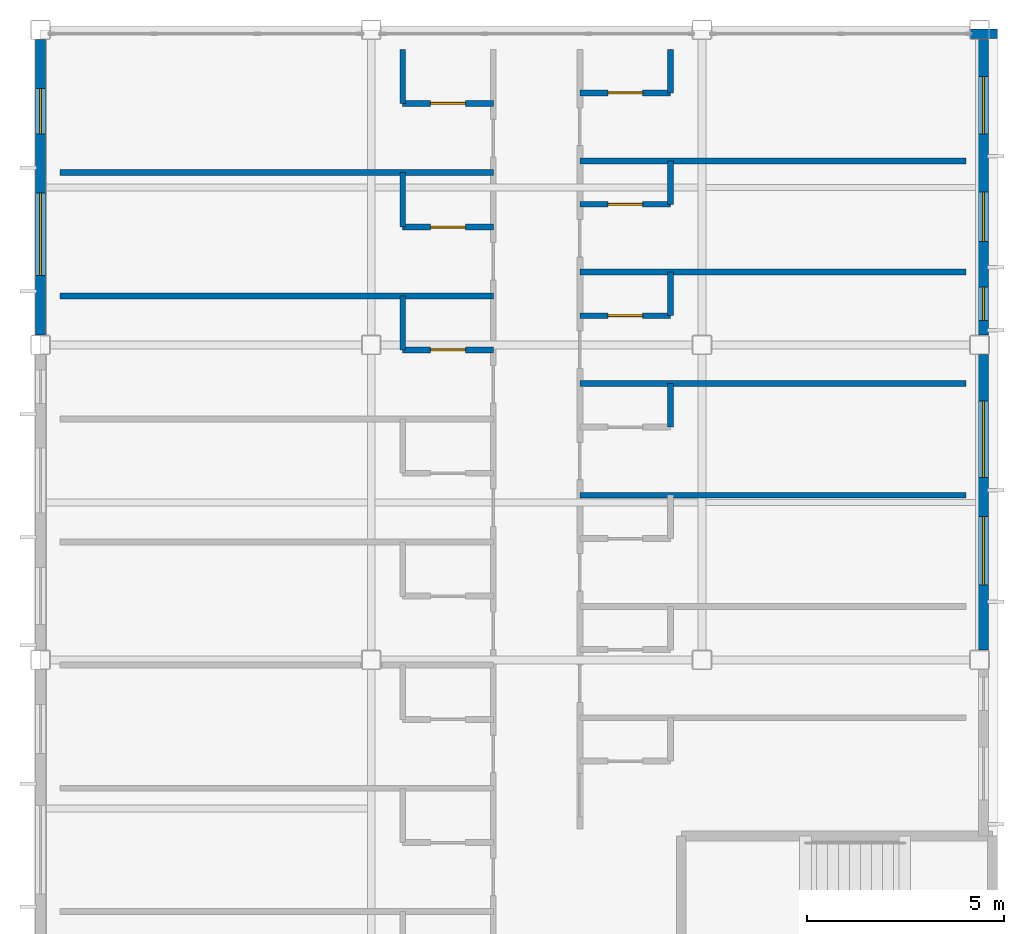
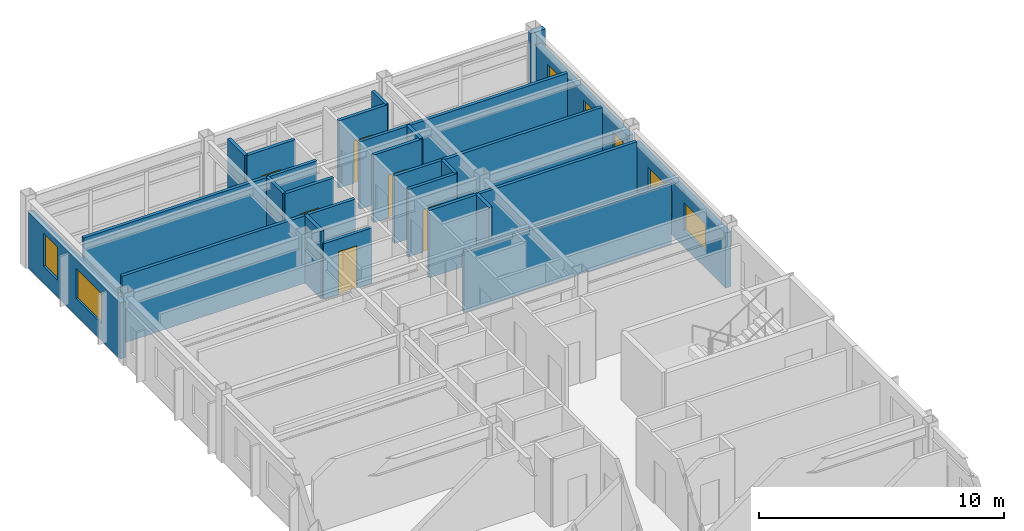
# One storey, part 31 of 35: 23 walls, 7 windows, 6 doors, 13 openings.
"""IFC4 building model written with IfcOpenShell, lengths in metres."""

from ifc_helpers import new_model, si_unit, direction, frame, frame_2d, origin, place, context, subcontext, project, spatial, rectangle, extrude, material, layer, layer_set, type_object, element, fill, save


model = new_model("IFC4")

# Units and contexts
model_context = context("Model", 3, precision=1e-05, world=origin(), true_north=direction((0.0, 1.0)))
body_context = subcontext(model_context, "Body", "Model", "MODEL_VIEW")
ifc_project = project(units=[si_unit("LENGTHUNIT", "METRE"), si_unit("AREAUNIT", "SQUARE_METRE"), si_unit("VOLUMEUNIT", "CUBIC_METRE"), si_unit("PLANEANGLEUNIT", "RADIAN"), si_unit("MASSUNIT", "GRAM", prefix="KILO")], contexts=[model_context])

# Site, building, storey
site_placement = place(None, origin())
site = spatial("IfcSite", under=ifc_project, at=site_placement, CompositionType="ELEMENT")
building_placement = place(site_placement, origin())
building = spatial("IfcBuilding", under=site, at=building_placement, Name="Kazehara Bluff Congress Hotel", CompositionType="ELEMENT")
storey_placement = place(building_placement, frame((0.0, 0.0, 35.39990234375)))
storey = spatial("IfcBuildingStorey", under=building, at=storey_placement, Name="L08", CompositionType="ELEMENT", Elevation=35.39990234375)

# Wall
ifc_material_1 = material(Name="Precast concrete C40/50", Category="concrete")
ifc_layer_1 = layer(ifc_material_1, 0.239990234375)
ifc_layer_set_1 = layer_set([ifc_layer_1], Name="Precast concrete C40/50")
wall_type_1 = type_object("IfcWallType", Name="TP-EW-240", PredefinedType="SOLIDWALL", material=ifc_layer_set_1)
wall_1_placement = place(storey_placement, frame((167.300048828125, 96.800048828125, 0.0), z_axis=(0.0, 0.0, 1.0), x_axis=(1.0, 0.0, 0.0)))
element("IfcWall", 1, at=wall_1_placement, inside=storey, type_object=wall_type_1, Name="L08 V5 perimeter spandrel pier 751", PredefinedType="SOLIDWALL", context=body_context, shape_type="SweptSolid", body=[
    extrude(rectangle(XDim=0.699951171875, YDim=0.239990234375, at=frame_2d((0.35009765625, 0.0))), origin(), (0.0, 0.0, 1.0), 3.364990234375),
])

# Wall, openings, windows
ifc_material_2 = material(Name="Precast concrete C40/50", Category="concrete")
ifc_layer_2 = layer(ifc_material_2, 0.260009765625)
ifc_layer_set_2 = layer_set([ifc_layer_2], Name="Precast concrete C40/50")
wall_type_2 = type_object("IfcWallType", Name="TP-EW-260", PredefinedType="SOLIDWALL", material=ifc_layer_set_2)
wall_2_placement = place(storey_placement, frame((167.64990234375, 88.64990234375, 0.0), z_axis=(0.0, 0.0, 1.0), x_axis=(0.0, -1.0, 0.0)))
wall_2 = element("IfcWall", 2, at=wall_2_placement, inside=storey, type_object=wall_type_2, Name="L08 hotel facade panel 118", PredefinedType="SOLIDWALL", context=body_context, shape_type="SweptSolid", body=[
    extrude(rectangle(XDim=7.5, YDim=0.260009765625, at=frame_2d((3.75, 0.0))), origin(), (0.0, 0.0, 1.0), 2.755126953125),
])
opening_1_placement = place(wall_2_placement, frame((4.10498046875, 0.0, 0.85009765625)))
opening_1 = element("IfcOpeningElement", 3, at=opening_1_placement, cuts=wall_2, Name="Opening WN-31", PredefinedType="OPENING", context=body_context, shape_type="SweptSolid", body=[
    extrude(rectangle(XDim=1.75, YDim=1.35009765625, at=frame_2d((0.875, 0.675048828125))), frame((0.0, 0.139892578125, 0.0), z_axis=(0.0, -1.0, 0.0), x_axis=(1.0, 0.0, 0.0)), (0.0, 0.0, 1.0), 0.280029296875),
])
opening_2_placement = place(wall_2_placement, frame((1.175048828125, 0.0, 0.85009765625)))
opening_2 = element("IfcOpeningElement", 4, at=opening_2_placement, cuts=wall_2, Name="Opening WN-41", PredefinedType="OPENING", context=body_context, shape_type="SweptSolid", body=[
    extrude(rectangle(XDim=1.949951171875, YDim=1.35009765625, at=frame_2d((0.97509765625, 0.675048828125))), frame((0.0, 0.139892578125, 0.0), z_axis=(0.0, -1.0, 0.0), x_axis=(1.0, 0.0, 0.0)), (0.0, 0.0, 1.0), 0.280029296875),
])
ifc_material_3 = material(Name="Insulated low-E double glazing", Category="glass")
window_type_1 = type_object("IfcWindowType", Name="TP-WN-31", PartitioningType="SINGLE_PANEL", PredefinedType="WINDOW", material=ifc_material_3)
window_1_placement = place(opening_1_placement, origin())
window_1 = element("IfcWindow", 5, at=window_1_placement, inside=storey, type_object=window_type_1, Name="L08 guestroom window WN-31 227", OverallHeight=1.35009765625, OverallWidth=1.75, PartitioningType="SINGLE_PANEL", PredefinedType="WINDOW", context=body_context, shape_type="SweptSolid", body=[
    extrude(rectangle(XDim=1.75, YDim=1.35009765625, at=frame_2d((0.875, 0.675048828125))), frame((0.0, 0.030029296875, 0.0), z_axis=(0.0, -1.0, 0.0), x_axis=(1.0, 0.0, 0.0)), (0.0, 0.0, 1.0), 0.06005859375),
])
fill(opening_1, window_1)
ifc_material_4 = material(Name="Insulated low-E double glazing", Category="glass")
window_type_2 = type_object("IfcWindowType", Name="TP-WN-41", PartitioningType="DOUBLE_PANEL_VERTICAL", PredefinedType="WINDOW", material=ifc_material_4)
window_2_placement = place(opening_2_placement, origin())
window_2 = element("IfcWindow", 6, at=window_2_placement, inside=storey, type_object=window_type_2, Name="L08 guestroom window WN-41 228", OverallHeight=1.35009765625, OverallWidth=1.949951171875, PartitioningType="SINGLE_PANEL", PredefinedType="WINDOW", context=body_context, shape_type="SweptSolid", body=[
    extrude(rectangle(XDim=1.949951171875, YDim=1.35009765625, at=frame_2d((0.97509765625, 0.675048828125))), frame((0.0, 0.030029296875, 0.0), z_axis=(0.0, -1.0, 0.0), x_axis=(1.0, 0.0, 0.0)), (0.0, 0.0, 1.0), 0.06005859375),
])
fill(opening_2, window_2)

wall_3_placement = place(storey_placement, frame((167.64990234375, 96.64990234375, 0.0), z_axis=(0.0, 0.0, 1.0), x_axis=(0.0, -1.0, 0.0)))
wall_3 = element("IfcWall", 7, at=wall_3_placement, inside=storey, type_object=wall_type_2, Name="L08 hotel facade panel 119", PredefinedType="SOLIDWALL", context=body_context, shape_type="SweptSolid", body=[
    extrude(rectangle(XDim=7.5, YDim=0.260009765625, at=frame_2d((3.75, 0.0))), origin(), (0.0, 0.0, 1.0), 2.755126953125),
])
opening_3_placement = place(wall_3_placement, frame((6.280029296875, 0.0, 0.85009765625)))
opening_3 = element("IfcOpeningElement", 8, at=opening_3_placement, cuts=wall_3, Name="Opening WN-55", PredefinedType="OPENING", context=body_context, shape_type="SweptSolid", body=[
    extrude(rectangle(XDim=0.85009765625, YDim=1.35009765625, at=frame_2d((0.425048828125, 0.675048828125))), frame((0.0, 0.139892578125, 0.0), z_axis=(0.0, -1.0, 0.0), x_axis=(1.0, 0.0, 0.0)), (0.0, 0.0, 1.0), 0.280029296875),
])
opening_4_placement = place(wall_3_placement, frame((3.8701171875, 0.0, 0.85009765625)))
opening_4 = element("IfcOpeningElement", 9, at=opening_4_placement, cuts=wall_3, Name="Opening WN-07", PredefinedType="OPENING", context=body_context, shape_type="SweptSolid", body=[
    extrude(rectangle(XDim=1.25, YDim=1.5, at=frame_2d((0.625, 0.75))), frame((0.0, 0.139892578125, 0.0), z_axis=(0.0, -1.0, 0.0), x_axis=(1.0, 0.0, 0.0)), (0.0, 0.0, 1.0), 0.280029296875),
])
opening_5_placement = place(wall_3_placement, frame((0.93994140625, 0.0, 0.85009765625)))
opening_5 = element("IfcOpeningElement", 10, at=opening_5_placement, cuts=wall_3, Name="Opening WN-17", PredefinedType="OPENING", context=body_context, shape_type="SweptSolid", body=[
    extrude(rectangle(XDim=1.449951171875, YDim=1.5, at=frame_2d((0.72509765625, 0.75))), frame((0.0, 0.139892578125, 0.0), z_axis=(0.0, -1.0, 0.0), x_axis=(1.0, 0.0, 0.0)), (0.0, 0.0, 1.0), 0.280029296875),
])
ifc_material_5 = material(Name="Insulated low-E double glazing", Category="glass")
window_type_3 = type_object("IfcWindowType", Name="TP-WN-07", PartitioningType="SINGLE_PANEL", PredefinedType="WINDOW", material=ifc_material_5)
window_3_placement = place(opening_4_placement, origin())
window_3 = element("IfcWindow", 11, at=window_3_placement, inside=storey, type_object=window_type_3, Name="L08 guestroom window WN-07 230", OverallHeight=1.5, OverallWidth=1.25, PartitioningType="SINGLE_PANEL", PredefinedType="WINDOW", context=body_context, shape_type="SweptSolid", body=[
    extrude(rectangle(XDim=1.25, YDim=1.5, at=frame_2d((0.625, 0.75))), frame((0.0, 0.030029296875, 0.0), z_axis=(0.0, -1.0, 0.0), x_axis=(1.0, 0.0, 0.0)), (0.0, 0.0, 1.0), 0.06005859375),
])
fill(opening_4, window_3)
ifc_material_6 = material(Name="Insulated low-E double glazing", Category="glass")
window_type_4 = type_object("IfcWindowType", Name="TP-WN-17", PartitioningType="SINGLE_PANEL", PredefinedType="WINDOW", material=ifc_material_6)
window_4_placement = place(opening_5_placement, origin())
window_4 = element("IfcWindow", 12, at=window_4_placement, inside=storey, type_object=window_type_4, Name="L08 guestroom window WN-17 231", OverallHeight=1.5, OverallWidth=1.449951171875, PartitioningType="SINGLE_PANEL", PredefinedType="WINDOW", context=body_context, shape_type="SweptSolid", body=[
    extrude(rectangle(XDim=1.449951171875, YDim=1.5, at=frame_2d((0.72509765625, 0.75))), frame((0.0, 0.030029296875, 0.0), z_axis=(0.0, -1.0, 0.0), x_axis=(1.0, 0.0, 0.0)), (0.0, 0.0, 1.0), 0.06005859375),
])
fill(opening_5, window_4)
ifc_material_7 = material(Name="Insulated low-E double glazing", Category="glass")
window_type_5 = type_object("IfcWindowType", Name="TP-WN-55", PartitioningType="SINGLE_PANEL", PredefinedType="WINDOW", material=ifc_material_7)
window_5_placement = place(opening_3_placement, origin())
window_5 = element("IfcWindow", 13, at=window_5_placement, inside=storey, type_object=window_type_5, Name="L08 guestroom window WN-55 229", OverallHeight=1.35009765625, OverallWidth=0.85009765625, PartitioningType="SINGLE_PANEL", PredefinedType="WINDOW", context=body_context, shape_type="SweptSolid", body=[
    extrude(rectangle(XDim=0.85009765625, YDim=1.35009765625, at=frame_2d((0.425048828125, 0.675048828125))), frame((0.0, 0.030029296875, 0.0), z_axis=(0.0, -1.0, 0.0), x_axis=(1.0, 0.0, 0.0)), (0.0, 0.0, 1.0), 0.06005859375),
])
fill(opening_3, window_5)

wall_4_placement = place(storey_placement, frame((143.699951171875, 89.14990234375, 0.0), z_axis=(0.0, 0.0, 1.0), x_axis=(0.0, 1.0, 0.0)))
wall_4 = element("IfcWall", 14, at=wall_4_placement, inside=storey, type_object=wall_type_2, Name="L08 hotel facade panel 129", PredefinedType="SOLIDWALL", context=body_context, shape_type="SweptSolid", body=[
    extrude(rectangle(XDim=7.5, YDim=0.260009765625, at=frame_2d((3.75, 0.0))), origin(), (0.0, 0.0, 1.0), 2.80517578125),
])
opening_6_placement = place(wall_4_placement, frame((1.510009765625, 0.0, 0.85009765625)))
opening_6 = element("IfcOpeningElement", 15, at=opening_6_placement, cuts=wall_4, Name="Opening WN-47", PredefinedType="OPENING", context=body_context, shape_type="SweptSolid", body=[
    extrude(rectangle(XDim=2.10009765625, YDim=1.5, at=frame_2d((1.050048828125, 0.75))), frame((0.0, 0.139892578125, 0.0), z_axis=(0.0, -1.0, 0.0), x_axis=(1.0, 0.0, 0.0)), (0.0, 0.0, 1.0), 0.280029296875),
])
opening_7_placement = place(wall_4_placement, frame((5.110107421875, 0.0, 0.85009765625)))
opening_7 = element("IfcOpeningElement", 16, at=opening_7_placement, cuts=wall_4, Name="Opening WN-03", PredefinedType="OPENING", context=body_context, shape_type="SweptSolid", body=[
    extrude(rectangle(XDim=1.14990234375, YDim=1.64990234375, at=frame_2d((0.574951171875, 0.824951171875))), frame((0.0, 0.139892578125, 0.0), z_axis=(0.0, -1.0, 0.0), x_axis=(1.0, 0.0, 0.0)), (0.0, 0.0, 1.0), 0.280029296875),
])
ifc_material_8 = material(Name="Insulated low-E double glazing", Category="glass")
window_type_6 = type_object("IfcWindowType", Name="TP-WN-03", PartitioningType="SINGLE_PANEL", PredefinedType="WINDOW", material=ifc_material_8)
window_6_placement = place(opening_7_placement, origin())
window_6 = element("IfcWindow", 17, at=window_6_placement, inside=storey, type_object=window_type_6, Name="L08 guestroom window WN-03 252", OverallHeight=1.64990234375, OverallWidth=1.14990234375, PartitioningType="SINGLE_PANEL", PredefinedType="WINDOW", context=body_context, shape_type="SweptSolid", body=[
    extrude(rectangle(XDim=1.14990234375, YDim=1.64990234375, at=frame_2d((0.574951171875, 0.824951171875))), frame((0.0, 0.030029296875, 0.0), z_axis=(0.0, -1.0, 0.0), x_axis=(1.0, 0.0, 0.0)), (0.0, 0.0, 1.0), 0.06005859375),
])
fill(opening_7, window_6)
ifc_material_9 = material(Name="Insulated low-E double glazing", Category="glass")
window_type_7 = type_object("IfcWindowType", Name="TP-WN-47", PartitioningType="DOUBLE_PANEL_VERTICAL", PredefinedType="WINDOW", material=ifc_material_9)
window_7_placement = place(opening_6_placement, origin())
window_7 = element("IfcWindow", 18, at=window_7_placement, inside=storey, type_object=window_type_7, Name="L08 guestroom window WN-47 251", OverallHeight=1.5, OverallWidth=2.10009765625, PartitioningType="SINGLE_PANEL", PredefinedType="WINDOW", context=body_context, shape_type="SweptSolid", body=[
    extrude(rectangle(XDim=2.10009765625, YDim=1.5, at=frame_2d((1.050048828125, 0.75))), frame((0.0, 0.030029296875, 0.0), z_axis=(0.0, -1.0, 0.0), x_axis=(1.0, 0.0, 0.0)), (0.0, 0.0, 1.0), 0.06005859375),
])
fill(opening_6, window_7)

# Walls
ifc_material_10 = material(Name="Fire-rated gypsum board stud partition")
ifc_layer_3 = layer(ifc_material_10, 0.14990234375)
ifc_layer_set_3 = layer_set([ifc_layer_3], Name="Fire-rated gypsum board stud partition")
wall_type_3 = type_object("IfcWallType", Name="TP-PT-150", PredefinedType="PARTITIONING", material=ifc_layer_set_3)
wall_5_placement = place(storey_placement, frame((157.39990234375, 85.080078125, 0.0), z_axis=(0.0, 0.0, 1.0), x_axis=(1.0, 0.0, 0.0)))
element("IfcWall", 19, at=wall_5_placement, inside=storey, type_object=wall_type_3, Name="L08 partition PT-150 1094", PredefinedType="PARTITIONING", context=body_context, shape_type="SweptSolid", body=[
    extrude(rectangle(XDim=9.800048828125, YDim=0.14990234375, at=frame_2d((4.89990234375, 0.0))), origin(), (0.0, 0.0, 1.0), 3.005126953125),
])
wall_6_placement = place(storey_placement, frame((157.39990234375, 87.919921875, 0.0), z_axis=(0.0, 0.0, 1.0), x_axis=(1.0, 0.0, 0.0)))
element("IfcWall", 20, at=wall_6_placement, inside=storey, type_object=wall_type_3, Name="L08 partition PT-150 1098", PredefinedType="PARTITIONING", context=body_context, shape_type="SweptSolid", body=[
    extrude(rectangle(XDim=9.800048828125, YDim=0.14990234375, at=frame_2d((4.89990234375, 0.0))), origin(), (0.0, 0.0, 1.0), 3.364990234375),
])

# Wall, opening, door
wall_7_placement = place(storey_placement, frame((152.89990234375, 88.77001953125, 0.0), z_axis=(0.0, 0.0, 1.0), x_axis=(1.0, 0.0, 0.0)))
wall_7 = element("IfcWall", 21, at=wall_7_placement, inside=storey, type_object=wall_type_3, Name="L08 partition PT-150 1099", PredefinedType="PARTITIONING", context=body_context, shape_type="SweptSolid", body=[
    extrude(rectangle(XDim=2.300048828125, YDim=0.14990234375, at=frame_2d((1.14990234375, 0.0))), origin(), (0.0, 0.0, 1.0), 2.755126953125),
])
opening_8_placement = place(wall_7_placement, frame((0.7099609375, 0.0, 0.0)))
opening_8 = element("IfcOpeningElement", 22, at=opening_8_placement, cuts=wall_7, Name="Opening BD-02", PredefinedType="OPENING", context=body_context, shape_type="SweptSolid", body=[
    extrude(rectangle(XDim=0.8798828125, YDim=2.1201171875, at=frame_2d((0.43994140625, 1.06005859375))), frame((0.0, 0.0849609375, 0.0), z_axis=(0.0, -1.0, 0.0), x_axis=(1.0, 0.0, 0.0)), (0.0, 0.0, 1.0), 0.169921875),
])
ifc_material_11 = material(Name="Architectural oak veneer leaf")
door_type = type_object("IfcDoorType", Name="TP-BD-02", OperationType="NOTDEFINED", PredefinedType="DOOR", material=ifc_material_11)
door_1_placement = place(opening_8_placement, origin())
door_1 = element("IfcDoor", 23, at=door_1_placement, inside=storey, type_object=door_type, Name="L08 En-suite Bathroom 227 door", OperationType="SINGLE_SWING_LEFT", OverallHeight=2.1201171875, OverallWidth=0.8798828125, PredefinedType="DOOR", context=body_context, shape_type="SweptSolid", body=[
    extrude(rectangle(XDim=0.8798828125, YDim=2.1201171875, at=frame_2d((0.43994140625, 1.06005859375))), frame((0.0, 0.02490234375, 0.0), z_axis=(0.0, -1.0, 0.0), x_axis=(1.0, 0.0, 0.0)), (0.0, 0.0, 1.0), 0.050048828125),
])
fill(opening_8, door_1)

wall_8_placement = place(storey_placement, frame((157.39990234375, 89.639892578125, 0.0), z_axis=(0.0, 0.0, 1.0), x_axis=(1.0, 0.0, 0.0)))
wall_8 = element("IfcWall", 24, at=wall_8_placement, inside=storey, type_object=wall_type_3, Name="L08 partition PT-150 1100", PredefinedType="PARTITIONING", context=body_context, shape_type="SweptSolid", body=[
    extrude(rectangle(XDim=2.300048828125, YDim=0.14990234375, at=frame_2d((1.14990234375, 0.0))), origin(), (0.0, 0.0, 1.0), 3.364990234375),
])
opening_9_placement = place(wall_8_placement, frame((0.7099609375, 0.0, 0.0)))
opening_9 = element("IfcOpeningElement", 25, at=opening_9_placement, cuts=wall_8, Name="Opening BD-02", PredefinedType="OPENING", context=body_context, shape_type="SweptSolid", body=[
    extrude(rectangle(XDim=0.8798828125, YDim=2.1201171875, at=frame_2d((0.43994140625, 1.06005859375))), frame((0.0, 0.0849609375, 0.0), z_axis=(0.0, -1.0, 0.0), x_axis=(1.0, 0.0, 0.0)), (0.0, 0.0, 1.0), 0.169921875),
])
door_2_placement = place(opening_9_placement, origin())
door_2 = element("IfcDoor", 26, at=door_2_placement, inside=storey, type_object=door_type, Name="L08 En-suite Bathroom 250 door", OperationType="SINGLE_SWING_LEFT", OverallHeight=2.1201171875, OverallWidth=0.8798828125, PredefinedType="DOOR", context=body_context, shape_type="SweptSolid", body=[
    extrude(rectangle(XDim=0.8798828125, YDim=2.1201171875, at=frame_2d((0.43994140625, 1.06005859375))), frame((0.0, 0.02490234375, 0.0), z_axis=(0.0, -1.0, 0.0), x_axis=(1.0, 0.0, 0.0)), (0.0, 0.0, 1.0), 0.050048828125),
])
fill(opening_9, door_2)

# Walls
wall_9_placement = place(storey_placement, frame((144.199951171875, 90.139892578125, 0.0), z_axis=(0.0, 0.0, 1.0), x_axis=(1.0, 0.0, 0.0)))
element("IfcWall", 27, at=wall_9_placement, inside=storey, type_object=wall_type_3, Name="L08 partition PT-150 1101", PredefinedType="PARTITIONING", context=body_context, shape_type="SweptSolid", body=[
    extrude(rectangle(XDim=11.0, YDim=0.14990234375, at=frame_2d((5.5, 0.0))), origin(), (0.0, 0.0, 1.0), 3.364990234375),
])
wall_10_placement = place(storey_placement, frame((157.39990234375, 90.75, 0.0), z_axis=(0.0, 0.0, 1.0), x_axis=(1.0, 0.0, 0.0)))
element("IfcWall", 28, at=wall_10_placement, inside=storey, type_object=wall_type_3, Name="L08 partition PT-150 1102", PredefinedType="PARTITIONING", context=body_context, shape_type="SweptSolid", body=[
    extrude(rectangle(XDim=9.800048828125, YDim=0.14990234375, at=frame_2d((4.89990234375, 0.0))), origin(), (0.0, 0.0, 1.0), 3.364990234375),
])

# Wall, opening, door
wall_11_placement = place(storey_placement, frame((152.89990234375, 91.889892578125, 0.0), z_axis=(0.0, 0.0, 1.0), x_axis=(1.0, 0.0, 0.0)))
wall_11 = element("IfcWall", 29, at=wall_11_placement, inside=storey, type_object=wall_type_3, Name="L08 partition PT-150 1103", PredefinedType="PARTITIONING", context=body_context, shape_type="SweptSolid", body=[
    extrude(rectangle(XDim=2.300048828125, YDim=0.14990234375, at=frame_2d((1.14990234375, 0.0))), origin(), (0.0, 0.0, 1.0), 3.364990234375),
])
opening_10_placement = place(wall_11_placement, frame((0.7099609375, 0.0, 0.0)))
opening_10 = element("IfcOpeningElement", 30, at=opening_10_placement, cuts=wall_11, Name="Opening BD-02", PredefinedType="OPENING", context=body_context, shape_type="SweptSolid", body=[
    extrude(rectangle(XDim=0.8798828125, YDim=2.1201171875, at=frame_2d((0.43994140625, 1.06005859375))), frame((0.0, 0.0849609375, 0.0), z_axis=(0.0, -1.0, 0.0), x_axis=(1.0, 0.0, 0.0)), (0.0, 0.0, 1.0), 0.169921875),
])
door_3_placement = place(opening_10_placement, origin())
door_3 = element("IfcDoor", 31, at=door_3_placement, inside=storey, type_object=door_type, Name="L08 En-suite Bathroom 228 door", OperationType="SINGLE_SWING_LEFT", OverallHeight=2.1201171875, OverallWidth=0.8798828125, PredefinedType="DOOR", context=body_context, shape_type="SweptSolid", body=[
    extrude(rectangle(XDim=0.8798828125, YDim=2.1201171875, at=frame_2d((0.43994140625, 1.06005859375))), frame((0.0, 0.02490234375, 0.0), z_axis=(0.0, -1.0, 0.0), x_axis=(1.0, 0.0, 0.0)), (0.0, 0.0, 1.0), 0.050048828125),
])
fill(opening_10, door_3)

wall_12_placement = place(storey_placement, frame((157.39990234375, 92.469970703125, 0.0), z_axis=(0.0, 0.0, 1.0), x_axis=(1.0, 0.0, 0.0)))
wall_12 = element("IfcWall", 32, at=wall_12_placement, inside=storey, type_object=wall_type_3, Name="L08 partition PT-150 1104", PredefinedType="PARTITIONING", context=body_context, shape_type="SweptSolid", body=[
    extrude(rectangle(XDim=2.300048828125, YDim=0.14990234375, at=frame_2d((1.14990234375, 0.0))), origin(), (0.0, 0.0, 1.0), 3.364990234375),
])
opening_11_placement = place(wall_12_placement, frame((0.7099609375, 0.0, 0.0)))
opening_11 = element("IfcOpeningElement", 33, at=opening_11_placement, cuts=wall_12, Name="Opening BD-02", PredefinedType="OPENING", context=body_context, shape_type="SweptSolid", body=[
    extrude(rectangle(XDim=0.8798828125, YDim=2.1201171875, at=frame_2d((0.43994140625, 1.06005859375))), frame((0.0, 0.0849609375, 0.0), z_axis=(0.0, -1.0, 0.0), x_axis=(1.0, 0.0, 0.0)), (0.0, 0.0, 1.0), 0.169921875),
])
door_4_placement = place(opening_11_placement, origin())
door_4 = element("IfcDoor", 34, at=door_4_placement, inside=storey, type_object=door_type, Name="L08 En-suite Bathroom 251 door", OperationType="SINGLE_SWING_LEFT", OverallHeight=2.1201171875, OverallWidth=0.8798828125, PredefinedType="DOOR", context=body_context, shape_type="SweptSolid", body=[
    extrude(rectangle(XDim=0.8798828125, YDim=2.1201171875, at=frame_2d((0.43994140625, 1.06005859375))), frame((0.0, 0.02490234375, 0.0), z_axis=(0.0, -1.0, 0.0), x_axis=(1.0, 0.0, 0.0)), (0.0, 0.0, 1.0), 0.050048828125),
])
fill(opening_11, door_4)

# Walls
wall_13_placement = place(storey_placement, frame((144.199951171875, 93.280029296875, 0.0), z_axis=(0.0, 0.0, 1.0), x_axis=(1.0, 0.0, 0.0)))
element("IfcWall", 35, at=wall_13_placement, inside=storey, type_object=wall_type_3, Name="L08 partition PT-150 1105", PredefinedType="PARTITIONING", context=body_context, shape_type="SweptSolid", body=[
    extrude(rectangle(XDim=11.0, YDim=0.14990234375, at=frame_2d((5.5, 0.0))), origin(), (0.0, 0.0, 1.0), 3.364990234375),
])
wall_14_placement = place(storey_placement, frame((157.39990234375, 93.570068359375, 0.0), z_axis=(0.0, 0.0, 1.0), x_axis=(1.0, 0.0, 0.0)))
element("IfcWall", 36, at=wall_14_placement, inside=storey, type_object=wall_type_3, Name="L08 partition PT-150 1106", PredefinedType="PARTITIONING", context=body_context, shape_type="SweptSolid", body=[
    extrude(rectangle(XDim=9.800048828125, YDim=0.14990234375, at=frame_2d((4.89990234375, 0.0))), origin(), (0.0, 0.0, 1.0), 3.364990234375),
])

# Wall, opening, door
wall_15_placement = place(storey_placement, frame((152.89990234375, 95.030029296875, 0.0), z_axis=(0.0, 0.0, 1.0), x_axis=(1.0, 0.0, 0.0)))
wall_15 = element("IfcWall", 37, at=wall_15_placement, inside=storey, type_object=wall_type_3, Name="L08 partition PT-150 1107", PredefinedType="PARTITIONING", context=body_context, shape_type="SweptSolid", body=[
    extrude(rectangle(XDim=2.300048828125, YDim=0.14990234375, at=frame_2d((1.14990234375, 0.0))), origin(), (0.0, 0.0, 1.0), 3.364990234375),
])
opening_12_placement = place(wall_15_placement, frame((0.7099609375, 0.0, 0.0)))
opening_12 = element("IfcOpeningElement", 38, at=opening_12_placement, cuts=wall_15, Name="Opening BD-02", PredefinedType="OPENING", context=body_context, shape_type="SweptSolid", body=[
    extrude(rectangle(XDim=0.8798828125, YDim=2.1201171875, at=frame_2d((0.43994140625, 1.06005859375))), frame((0.0, 0.0849609375, 0.0), z_axis=(0.0, -1.0, 0.0), x_axis=(1.0, 0.0, 0.0)), (0.0, 0.0, 1.0), 0.169921875),
])
door_5_placement = place(opening_12_placement, origin())
door_5 = element("IfcDoor", 39, at=door_5_placement, inside=storey, type_object=door_type, Name="L08 En-suite Bathroom 229 door", OperationType="SINGLE_SWING_LEFT", OverallHeight=2.1201171875, OverallWidth=0.8798828125, PredefinedType="DOOR", context=body_context, shape_type="SweptSolid", body=[
    extrude(rectangle(XDim=0.8798828125, YDim=2.1201171875, at=frame_2d((0.43994140625, 1.06005859375))), frame((0.0, 0.02490234375, 0.0), z_axis=(0.0, -1.0, 0.0), x_axis=(1.0, 0.0, 0.0)), (0.0, 0.0, 1.0), 0.050048828125),
])
fill(opening_12, door_5)

wall_16_placement = place(storey_placement, frame((157.39990234375, 95.300048828125, 0.0), z_axis=(0.0, 0.0, 1.0), x_axis=(1.0, 0.0, 0.0)))
wall_16 = element("IfcWall", 40, at=wall_16_placement, inside=storey, type_object=wall_type_3, Name="L08 partition PT-150 1108", PredefinedType="PARTITIONING", context=body_context, shape_type="SweptSolid", body=[
    extrude(rectangle(XDim=2.300048828125, YDim=0.14990234375, at=frame_2d((1.14990234375, 0.0))), origin(), (0.0, 0.0, 1.0), 3.364990234375),
])
opening_13_placement = place(wall_16_placement, frame((0.7099609375, 0.0, 0.0)))
opening_13 = element("IfcOpeningElement", 41, at=opening_13_placement, cuts=wall_16, Name="Opening BD-02", PredefinedType="OPENING", context=body_context, shape_type="SweptSolid", body=[
    extrude(rectangle(XDim=0.8798828125, YDim=2.1201171875, at=frame_2d((0.43994140625, 1.06005859375))), frame((0.0, 0.0849609375, 0.0), z_axis=(0.0, -1.0, 0.0), x_axis=(1.0, 0.0, 0.0)), (0.0, 0.0, 1.0), 0.169921875),
])
door_6_placement = place(opening_13_placement, origin())
door_6 = element("IfcDoor", 42, at=door_6_placement, inside=storey, type_object=door_type, Name="L08 En-suite Bathroom 252 door", OperationType="SINGLE_SWING_LEFT", OverallHeight=2.1201171875, OverallWidth=0.8798828125, PredefinedType="DOOR", context=body_context, shape_type="SweptSolid", body=[
    extrude(rectangle(XDim=0.8798828125, YDim=2.1201171875, at=frame_2d((0.43994140625, 1.06005859375))), frame((0.0, 0.02490234375, 0.0), z_axis=(0.0, -1.0, 0.0), x_axis=(1.0, 0.0, 0.0)), (0.0, 0.0, 1.0), 0.050048828125),
])
fill(opening_13, door_6)

# Walls
wall_17_placement = place(storey_placement, frame((152.89990234375, 88.77001953125, 0.0), z_axis=(0.0, 0.0, 1.0), x_axis=(0.0, 1.0, 0.0)))
element("IfcWall", 43, at=wall_17_placement, inside=storey, type_object=wall_type_3, Name="L08 partition PT-150 1129", PredefinedType="PARTITIONING", context=body_context, shape_type="SweptSolid", body=[
    extrude(rectangle(XDim=1.375, YDim=0.14990234375, at=frame_2d((0.6875, 0.0))), origin(), (0.0, 0.0, 1.0), 3.364990234375),
])
wall_18_placement = place(storey_placement, frame((152.89990234375, 91.89501953125, 0.0), z_axis=(0.0, 0.0, 1.0), x_axis=(0.0, 1.0, 0.0)))
element("IfcWall", 44, at=wall_18_placement, inside=storey, type_object=wall_type_3, Name="L08 partition PT-150 1130", PredefinedType="PARTITIONING", context=body_context, shape_type="SweptSolid", body=[
    extrude(rectangle(XDim=1.3798828125, YDim=0.14990234375, at=frame_2d((0.68994140625, 0.0))), origin(), (0.0, 0.0, 1.0), 3.364990234375),
])
wall_19_placement = place(storey_placement, frame((152.89990234375, 95.02490234375, 0.0), z_axis=(0.0, 0.0, 1.0), x_axis=(0.0, 1.0, 0.0)))
element("IfcWall", 45, at=wall_19_placement, inside=storey, type_object=wall_type_3, Name="L08 partition PT-150 1131", PredefinedType="PARTITIONING", context=body_context, shape_type="SweptSolid", body=[
    extrude(rectangle(XDim=1.375, YDim=0.14990234375, at=frame_2d((0.6875, 0.0))), origin(), (0.0, 0.0, 1.0), 3.364990234375),
])
for number, where, z_axis, x_axis, name in (
    (46, (159.699951171875, 86.81494140625, 0.0), (0.0, 0.0, 1.0), (0.0, 1.0, 0.0), "L08 partition PT-150 1161"),
    (47, (159.699951171875, 89.64501953125, 0.0), (0.0, 0.0, 1.0), (0.0, 1.0, 0.0), "L08 partition PT-150 1162"),
    (48, (159.699951171875, 92.469970703125, 0.0), (0.0, 0.0, 1.0), (0.0, 1.0, 0.0), "L08 partition PT-150 1163"),
):
    element("IfcWall", number, at=place(storey_placement, frame(where, z_axis=z_axis, x_axis=x_axis)), inside=storey, type_object=wall_type_3, Name=name, PredefinedType="PARTITIONING", context=body_context, shape_type="SweptSolid", body=[
        extrude(rectangle(XDim=1.10009765625, YDim=0.14990234375, at=frame_2d((0.550048828125, 0.0))), origin(), (0.0, 0.0, 1.0), 3.364990234375),
    ])
wall_20_placement = place(storey_placement, frame((159.699951171875, 95.300048828125, 0.0), z_axis=(0.0, 0.0, 1.0), x_axis=(0.0, 1.0, 0.0)))
element("IfcWall", 49, at=wall_20_placement, inside=storey, type_object=wall_type_3, Name="L08 partition PT-150 1164", PredefinedType="PARTITIONING", context=body_context, shape_type="SweptSolid", body=[
    extrude(rectangle(XDim=1.099853515625, YDim=0.14990234375, at=frame_2d((0.5498046875, 0.0))), origin(), (0.0, 0.0, 1.0), 3.364990234375),
])

save(model, "model.ifc")
